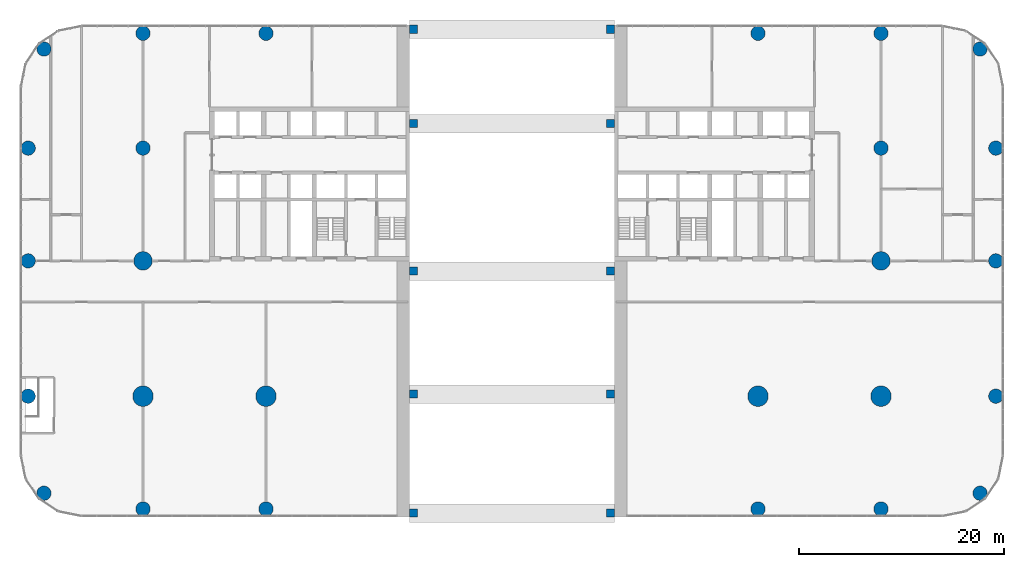
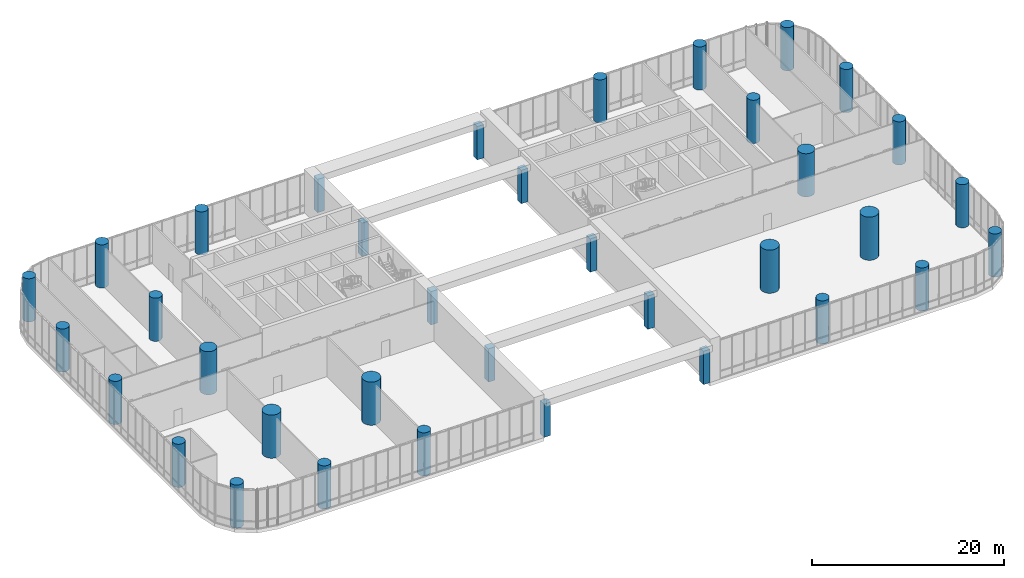
# One storey, part 1 of 30: 36 columns.
"""IFC4 building model written with IfcOpenShell, lengths in metres."""

from ifc_helpers import new_model, si_unit, direction, frame, origin, origin_2d, place, context, subcontext, project, spatial, rectangle, circle, extrude, material, material_profile, profile_set, type_object, element, save


model = new_model("IFC4")

# Units and contexts
model_context = context("Model", 3, precision=1e-05, world=origin(), true_north=direction((0.0, 1.0)))
body_context = subcontext(model_context, "Body", "Model", "MODEL_VIEW")
ifc_project = project(units=[si_unit("LENGTHUNIT", "METRE"), si_unit("AREAUNIT", "SQUARE_METRE"), si_unit("VOLUMEUNIT", "CUBIC_METRE"), si_unit("PLANEANGLEUNIT", "RADIAN"), si_unit("MASSUNIT", "GRAM", prefix="KILO")], contexts=[model_context])

# Site, building, storey
site_placement = place(None, origin())
site = spatial("IfcSite", under=ifc_project, at=site_placement, CompositionType="ELEMENT")
building_placement = place(site_placement, origin())
building = spatial("IfcBuilding", under=site, at=building_placement, Name="Torana Hotel and Residences", CompositionType="ELEMENT")
storey_placement = place(building_placement, frame((0.0, 0.0, 12.5)))
storey = spatial("IfcBuildingStorey", under=building, at=storey_placement, Name="L02", CompositionType="ELEMENT", Elevation=12.5)

# Columns
ifc_material_1 = material(Name="Concrete C60/75", Category="concrete")
ifc_material_profile_1 = material_profile(ifc_material_1, rectangle(XDim=0.800048828125, YDim=0.800048828125, at=origin_2d()), Name="RC 800x800")
ifc_profile_set_1 = profile_set([ifc_material_profile_1], Name="Concrete C60/75")
column_type_1 = type_object("IfcColumnType", Name="ARCH PIER RC 800x800 C60/75", PredefinedType="COLUMN", material=ifc_profile_set_1)
for number, where, z_axis, x_axis, name in (
    (1, (-9.60009765625, -39.60009765625, 0.0), (0.0, 0.0, 1.0), (1.0, 0.0, 0.0), "Arch pier L02"),
    (2, (9.60009765625, -39.60009765625, 0.0), (0.0, 0.0, 1.0), (1.0, 0.0, 0.0), "Arch pier L02"),
    (3, (-9.60009765625, -28.0, 0.0), (0.0, 0.0, 1.0), (1.0, 0.0, 0.0), "Arch pier L02"),
    (4, (9.60009765625, -28.0, 0.0), (0.0, 0.0, 1.0), (1.0, 0.0, 0.0), "Arch pier L02"),
    (5, (-9.60009765625, -16.0, 0.0), (0.0, 0.0, 1.0), (1.0, 0.0, 0.0), "Arch pier L02"),
    (6, (9.60009765625, -16.0, 0.0), (0.0, 0.0, 1.0), (1.0, 0.0, 0.0), "Arch pier L02"),
    (7, (-9.60009765625, -1.60009765625, 0.0), (0.0, 0.0, 1.0), (1.0, 0.0, 0.0), "Arch pier L02"),
    (8, (9.60009765625, -1.60009765625, 0.0), (0.0, 0.0, 1.0), (1.0, 0.0, 0.0), "Arch pier L02"),
    (9, (-9.60009765625, 7.60009765625, 0.0), (0.0, 0.0, 1.0), (1.0, 0.0, 0.0), "Arch pier L02"),
    (10, (9.60009765625, 7.60009765625, 0.0), (0.0, 0.0, 1.0), (1.0, 0.0, 0.0), "Arch pier L02"),
):
    element("IfcColumn", number, at=place(storey_placement, frame(where, z_axis=z_axis, x_axis=x_axis)), inside=storey, type_object=column_type_1, Name=name, PredefinedType="COLUMN", context=body_context, shape_type="SweptSolid", body=[
        extrude(rectangle(XDim=0.800048828125, YDim=0.800048828125, at=origin_2d()), origin(), (0.0, 0.0, 1.0), 4.25),
    ])
ifc_material_2 = material(Name="Concrete C70/85", Category="concrete")
ifc_material_profile_2 = material_profile(ifc_material_2, circle(Radius=0.699951171875, at=origin_2d()), Name="RCD 1400")
ifc_profile_set_2 = profile_set([ifc_material_profile_2], Name="Concrete C70/85")
column_type_2 = type_object("IfcColumnType", Name="COLUMN RCD 1400 C70/85", PredefinedType="COLUMN", material=ifc_profile_set_2)
for number, where, z_axis, x_axis, name in (
    (11, (-47.199951171875, -28.199951171875, 0.0), (0.0, 0.0, 1.0), (1.0, 0.0, 0.0), "Column L02"),
    (12, (-47.199951171875, -15.0, 0.0), (0.0, 0.0, 1.0), (1.0, 0.0, 0.0), "Column L02"),
    (13, (-47.199951171875, -4.0, 0.0), (0.0, 0.0, 1.0), (1.0, 0.0, 0.0), "Column L02"),
    (14, (-45.666015625, -37.666015625, 0.0), (0.0, 0.0, 1.0), (1.0, 0.0, 0.0), "Column L02"),
    (15, (-45.666015625, 5.666015625, 0.0), (0.0, 0.0, 1.0), (1.0, 0.0, 0.0), "Column L02"),
    (16, (-36.0, -39.199951171875, 0.0), (0.0, 0.0, 1.0), (1.0, 0.0, 0.0), "Column L02"),
    (17, (-36.0, -4.0, 0.0), (0.0, 0.0, 1.0), (1.0, 0.0, 0.0), "Column L02"),
    (18, (-36.0, 7.199951171875, 0.0), (0.0, 0.0, 1.0), (1.0, 0.0, 0.0), "Column L02"),
    (19, (-24.0, -39.199951171875, 0.0), (0.0, 0.0, 1.0), (1.0, 0.0, 0.0), "Column L02"),
    (20, (-24.0, 7.199951171875, 0.0), (0.0, 0.0, 1.0), (1.0, 0.0, 0.0), "Column L02"),
    (21, (24.0, -39.199951171875, 0.0), (0.0, 0.0, 1.0), (1.0, 0.0, 0.0), "Column L02"),
    (22, (24.0, 7.199951171875, 0.0), (0.0, 0.0, 1.0), (1.0, 0.0, 0.0), "Column L02"),
    (23, (36.0, -39.199951171875, 0.0), (0.0, 0.0, 1.0), (1.0, 0.0, 0.0), "Column L02"),
    (24, (36.0, -4.0, 0.0), (0.0, 0.0, 1.0), (1.0, 0.0, 0.0), "Column L02"),
    (25, (36.0, 7.199951171875, 0.0), (0.0, 0.0, 1.0), (1.0, 0.0, 0.0), "Column L02"),
    (26, (45.666015625, -37.666015625, 0.0), (0.0, 0.0, 1.0), (1.0, 0.0, 0.0), "Column L02"),
    (27, (45.666015625, 5.666015625, 0.0), (0.0, 0.0, 1.0), (1.0, 0.0, 0.0), "Column L02"),
    (28, (47.199951171875, -28.199951171875, 0.0), (0.0, 0.0, 1.0), (1.0, 0.0, 0.0), "Column L02"),
    (29, (47.199951171875, -15.0, 0.0), (0.0, 0.0, 1.0), (1.0, 0.0, 0.0), "Column L02"),
    (30, (47.199951171875, -4.0, 0.0), (0.0, 0.0, 1.0), (1.0, 0.0, 0.0), "Column L02"),
):
    element("IfcColumn", number, at=place(storey_placement, frame(where, z_axis=z_axis, x_axis=x_axis)), inside=storey, type_object=column_type_2, Name=name, PredefinedType="COLUMN", context=body_context, shape_type="SweptSolid", body=[
        extrude(circle(Radius=0.699951171875, at=origin_2d()), origin(), (0.0, 0.0, 1.0), 5.5),
    ])
ifc_material_3 = material(Name="Concrete C70/85", Category="concrete")
ifc_material_profile_3 = material_profile(ifc_material_3, circle(Radius=0.89990234375, at=origin_2d()), Name="RCD 1800")
ifc_profile_set_3 = profile_set([ifc_material_profile_3], Name="Concrete C70/85")
column_type_3 = type_object("IfcColumnType", Name="COLUMN RCD 1800 C70/85", PredefinedType="COLUMN", material=ifc_profile_set_3)
for number, where, z_axis, x_axis, name in (
    (31, (-36.0, -15.0, 0.0), (0.0, 0.0, 1.0), (1.0, 0.0, 0.0), "Column L02"),
    (32, (36.0, -15.0, 0.0), (0.0, 0.0, 1.0), (1.0, 0.0, 0.0), "Column L02"),
):
    element("IfcColumn", number, at=place(storey_placement, frame(where, z_axis=z_axis, x_axis=x_axis)), inside=storey, type_object=column_type_3, Name=name, PredefinedType="COLUMN", context=body_context, shape_type="SweptSolid", body=[
        extrude(circle(Radius=0.89990234375, at=origin_2d()), origin(), (0.0, 0.0, 1.0), 5.5),
    ])
ifc_material_4 = material(Name="Concrete C70/85", Category="concrete")
ifc_material_profile_4 = material_profile(ifc_material_4, circle(Radius=1.0, at=origin_2d()), Name="RCD 2000")
ifc_profile_set_4 = profile_set([ifc_material_profile_4], Name="Concrete C70/85")
column_type_4 = type_object("IfcColumnType", Name="COLUMN RCD 2000 C70/85", PredefinedType="COLUMN", material=ifc_profile_set_4)
for number, where, z_axis, x_axis, name in (
    (33, (-36.0, -28.199951171875, 0.0), (0.0, 0.0, 1.0), (1.0, 0.0, 0.0), "Column L02"),
    (34, (-24.0, -28.199951171875, 0.0), (0.0, 0.0, 1.0), (1.0, 0.0, 0.0), "Column L02"),
    (35, (24.0, -28.199951171875, 0.0), (0.0, 0.0, 1.0), (1.0, 0.0, 0.0), "Column L02"),
    (36, (36.0, -28.199951171875, 0.0), (0.0, 0.0, 1.0), (1.0, 0.0, 0.0), "Column L02"),
):
    element("IfcColumn", number, at=place(storey_placement, frame(where, z_axis=z_axis, x_axis=x_axis)), inside=storey, type_object=column_type_4, Name=name, PredefinedType="COLUMN", context=body_context, shape_type="SweptSolid", body=[
        extrude(circle(Radius=1.0, at=origin_2d()), origin(), (0.0, 0.0, 1.0), 5.5),
    ])

save(model, "model.ifc")
